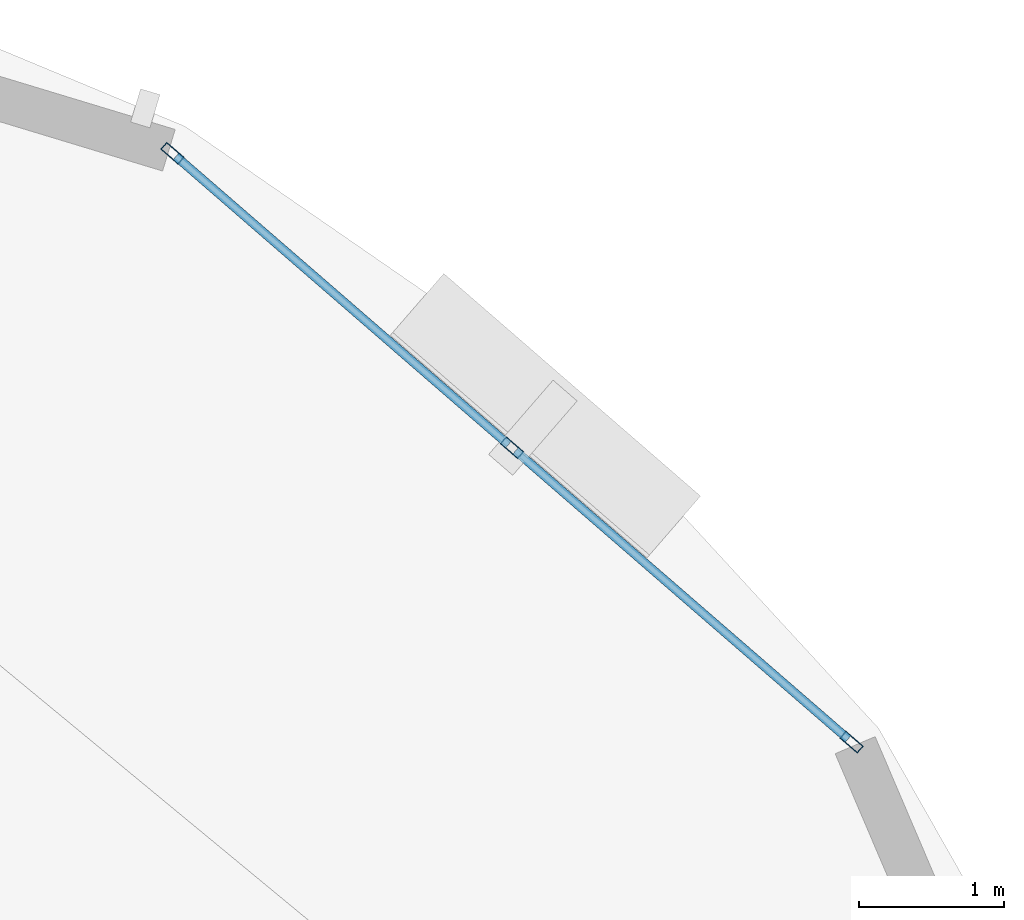
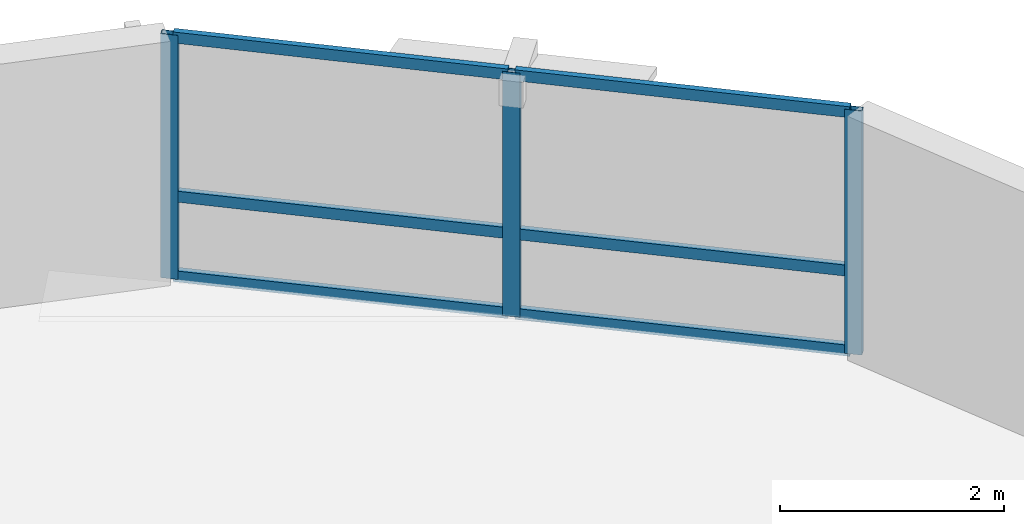
# One storey, part 6 of 12: 9 members, 1 element without a shape of its own.
"""IFC4 building model written with IfcOpenShell, lengths in metres."""

from ifc_helpers import new_model, si_unit, direction, frame, origin, origin_2d, place, context, subcontext, project, spatial, hollow_rectangle, extrude, material, layer, layer_set, material_profile, profile_set, type_object, element, aggregate, save


model = new_model("IFC4")

# Units and contexts
model_context = context("Model", 3, precision=1e-05, world=origin(), true_north=direction((0.0, 1.0)))
body_context = subcontext(model_context, "Body", "Model", "MODEL_VIEW")
ifc_project = project(units=[si_unit("LENGTHUNIT", "METRE"), si_unit("AREAUNIT", "SQUARE_METRE"), si_unit("VOLUMEUNIT", "CUBIC_METRE"), si_unit("PLANEANGLEUNIT", "RADIAN"), si_unit("MASSUNIT", "GRAM", prefix="KILO"), si_unit("THERMODYNAMICTEMPERATUREUNIT", "KELVIN"), si_unit("POWERUNIT", "WATT")], contexts=[model_context])

# Site, building, storey
site_placement = place(None, origin())
site = spatial("IfcSite", under=ifc_project, at=site_placement, CompositionType="ELEMENT")
building_placement = place(site_placement, origin())
building = spatial("IfcBuilding", under=site, at=building_placement, Name="Ocrelia Relay Tower", CompositionType="ELEMENT")
storey_placement = place(building_placement, frame((0.0, 0.0, 184.39990234375)))
storey = spatial("IfcBuildingStorey", under=building, at=storey_placement, Name="L44", CompositionType="ELEMENT", Elevation=184.39990234375)

# Curtain wall, members
ifc_material_1 = material(Name="Aluminium and solar-control low-E glass", Category="aluminium")
ifc_layer = layer(ifc_material_1, 0.179931640625, Name="Aluminium and solar-control low-E glass")
ifc_layer_set = layer_set([ifc_layer], Name="Aluminium and solar-control low-E glass")
curtain_wall_type = type_object("IfcCurtainWallType", Name="CW-SYS-Z3-CLOU", PredefinedType="NOTDEFINED", material=ifc_layer_set)
curtain_wall_placement = place(storey_placement, origin())
curtain_wall = element("IfcCurtainWall", 1, at=curtain_wall_placement, inside=storey, type_object=curtain_wall_type, Name="L44 Elliptical Tower Curtain Wall Bay 01", PredefinedType="NOTDEFINED")
ifc_material_2 = material(Name="Anodised bronze aluminium", Category="aluminium")
ifc_material_profile_1 = material_profile(ifc_material_2, hollow_rectangle(XDim=0.06494140625, YDim=0.159912109375, WallThickness=0.0048828125, at=origin_2d()), Name="CW-MUL-160x65")
ifc_profile_set_1 = profile_set([ifc_material_profile_1], Name="Anodised bronze aluminium")
member_type_1 = type_object("IfcMemberType", Name="CW-SYS-Z3-CLOU-MUL", PredefinedType="MULLION", material=ifc_profile_set_1)
member_1_placement = place(storey_placement, frame((52.88232421875, 39.80859375, 0.0), z_axis=(0.0, 0.0, 1.0), x_axis=(-0.655002039226, -0.755627109499, 0.0)))
member_1 = element("IfcMember", 2, at=member_1_placement, type_object=member_type_1, Name="CW-Z3 mullion 1", PredefinedType="MULLION", context=body_context, shape_type="SweptSolid", body=[
    extrude(hollow_rectangle(XDim=0.06494140625, YDim=0.159912109375, WallThickness=0.0048828125, at=origin_2d()), origin(), (0.0, 0.0, 1.0), 2.66015625),
])
member_2_placement = place(storey_placement, frame((50.533203125, 41.8447265625, 0.0), z_axis=(0.0, 0.0, 1.0), x_axis=(-0.655002039226, -0.755627109499, 0.0)))
member_2 = element("IfcMember", 3, at=member_2_placement, type_object=member_type_1, Name="CW-Z3 mullion 2", PredefinedType="MULLION", context=body_context, shape_type="SweptSolid", body=[
    extrude(hollow_rectangle(XDim=0.06494140625, YDim=0.159912109375, WallThickness=0.0048828125, at=origin_2d()), origin(), (0.0, 0.0, 1.0), 2.66015625),
])
member_3_placement = place(storey_placement, frame((48.18408203125, 43.881103515625, 0.0), z_axis=(0.0, 0.0, 1.0), x_axis=(-0.655002039226, -0.755627109499, 0.0)))
member_3 = element("IfcMember", 4, at=member_3_placement, type_object=member_type_1, Name="CW-Z3 mullion 3", PredefinedType="MULLION", context=body_context, shape_type="SweptSolid", body=[
    extrude(hollow_rectangle(XDim=0.06494140625, YDim=0.159912109375, WallThickness=0.0048828125, at=origin_2d()), origin(), (0.0, 0.0, 1.0), 2.66015625),
])
ifc_material_profile_2 = material_profile(ifc_material_2, hollow_rectangle(XDim=0.06005859375, YDim=0.1201171875, WallThickness=0.0048828125, at=origin_2d()), Name="CW-TRN-120x60")
ifc_profile_set_2 = profile_set([ifc_material_profile_2], Name="Anodised bronze aluminium")
member_type_2 = type_object("IfcMemberType", Name="CW-SYS-Z3-CLOU-TRN", PredefinedType="USERDEFINED", material=ifc_profile_set_2)
member_4_placement = place(storey_placement, frame((52.85791015625, 39.829833984375, 0.030029296875), z_axis=(-0.755644090971, 0.654982448452, 0.0), x_axis=(-0.654982448452, -0.755644090971, 0.0)))
member_4 = element("IfcMember", 5, at=member_4_placement, type_object=member_type_2, Name="CW-Z3 transom 1.1", ObjectType="TRANSOM", PredefinedType="USERDEFINED", context=body_context, shape_type="SweptSolid", body=[
    extrude(hollow_rectangle(XDim=0.06005859375, YDim=0.1201171875, WallThickness=0.0048828125, at=origin_2d()), origin(), (0.0, 0.0, 1.0), 3.0439453125),
])
member_5_placement = place(storey_placement, frame((52.85791015625, 39.829833984375, 0.900146484375), z_axis=(-0.755644090971, 0.654982448452, 0.0), x_axis=(-0.654982448452, -0.755644090971, 0.0)))
member_5 = element("IfcMember", 6, at=member_5_placement, type_object=member_type_2, Name="CW-Z3 transom 1.2", ObjectType="TRANSOM", PredefinedType="USERDEFINED", context=body_context, shape_type="SweptSolid", body=[
    extrude(hollow_rectangle(XDim=0.06005859375, YDim=0.1201171875, WallThickness=0.0048828125, at=origin_2d()), origin(), (0.0, 0.0, 1.0), 3.0439453125),
])
member_6_placement = place(storey_placement, frame((52.85791015625, 39.829833984375, 2.630126953125), z_axis=(-0.755644090971, 0.654982448452, 0.0), x_axis=(-0.654982448452, -0.755644090971, 0.0)))
member_6 = element("IfcMember", 7, at=member_6_placement, type_object=member_type_2, Name="CW-Z3 transom 1.3", ObjectType="TRANSOM", PredefinedType="USERDEFINED", context=body_context, shape_type="SweptSolid", body=[
    extrude(hollow_rectangle(XDim=0.06005859375, YDim=0.1201171875, WallThickness=0.0048828125, at=origin_2d()), origin(), (0.0, 0.0, 1.0), 3.0439453125),
])
member_7_placement = place(storey_placement, frame((50.5087890625, 41.865966796875, 0.030029296875), z_axis=(-0.755604393796, 0.655028243725, 0.0), x_axis=(-0.655028243725, -0.755604393796, 0.0)))
member_7 = element("IfcMember", 8, at=member_7_placement, type_object=member_type_2, Name="CW-Z3 transom 2.1", ObjectType="TRANSOM", PredefinedType="USERDEFINED", context=body_context, shape_type="SweptSolid", body=[
    extrude(hollow_rectangle(XDim=0.06005859375, YDim=0.1201171875, WallThickness=0.0048828125, at=origin_2d()), origin(), (0.0, 0.0, 1.0), 3.0439453125),
])
member_8_placement = place(storey_placement, frame((50.5087890625, 41.865966796875, 0.900146484375), z_axis=(-0.755604393796, 0.655028243725, 0.0), x_axis=(-0.655028243725, -0.755604393796, 0.0)))
member_8 = element("IfcMember", 9, at=member_8_placement, type_object=member_type_2, Name="CW-Z3 transom 2.2", ObjectType="TRANSOM", PredefinedType="USERDEFINED", context=body_context, shape_type="SweptSolid", body=[
    extrude(hollow_rectangle(XDim=0.06005859375, YDim=0.1201171875, WallThickness=0.0048828125, at=origin_2d()), origin(), (0.0, 0.0, 1.0), 3.0439453125),
])
member_9_placement = place(storey_placement, frame((50.5087890625, 41.865966796875, 2.630126953125), z_axis=(-0.755604393796, 0.655028243725, 0.0), x_axis=(-0.655028243725, -0.755604393796, 0.0)))
member_9 = element("IfcMember", 10, at=member_9_placement, type_object=member_type_2, Name="CW-Z3 transom 2.3", ObjectType="TRANSOM", PredefinedType="USERDEFINED", context=body_context, shape_type="SweptSolid", body=[
    extrude(hollow_rectangle(XDim=0.06005859375, YDim=0.1201171875, WallThickness=0.0048828125, at=origin_2d()), origin(), (0.0, 0.0, 1.0), 3.0439453125),
])
aggregate(curtain_wall, [member_1, member_2, member_3, member_4, member_5, member_6, member_7, member_8, member_9])

save(model, "model.ifc")
